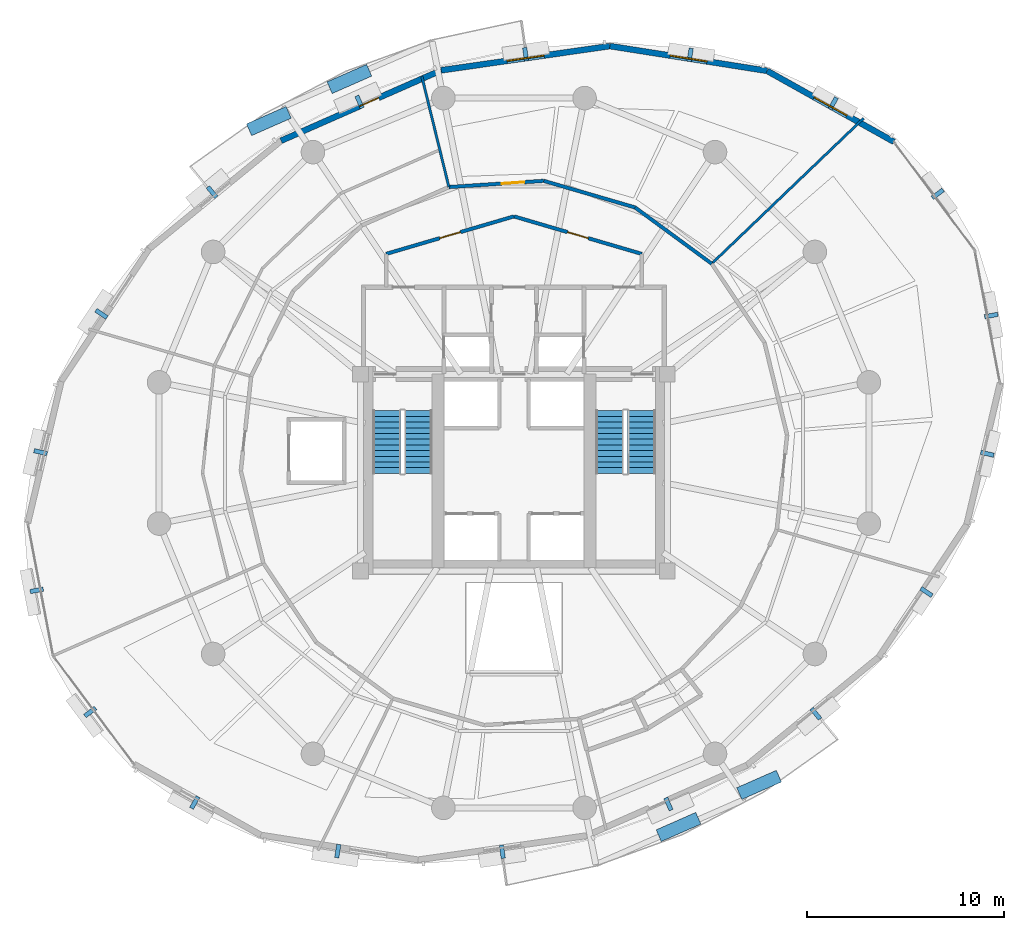
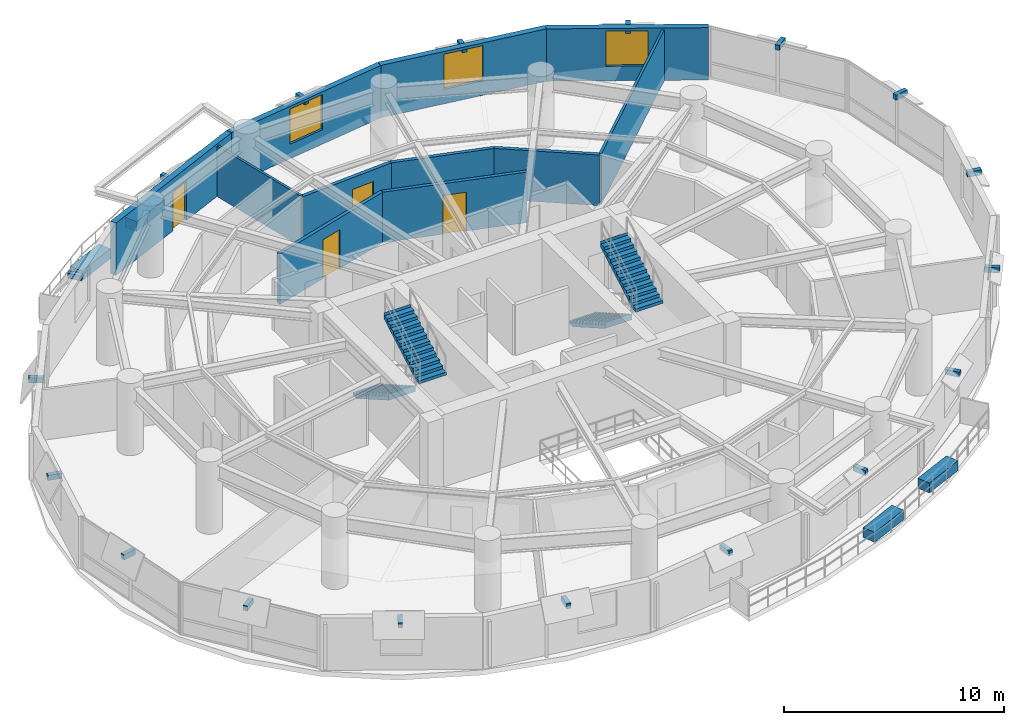
# One storey, part 12 of 14: 22 discrete accessories, 11 walls, 4 doors, 4 stair flights, 3 windows, 7 openings, 2 elements without a shape of their own.
"""IFC4 building model written with IfcOpenShell, lengths in metres."""

from ifc_helpers import new_model, si_unit, direction, frame, frame_2d, origin, origin_2d, place, context, subcontext, project, spatial, polyline, rectangle, outline, extrude, material, layer, layer_set, type_object, element, fill, aggregate, save


model = new_model("IFC4")

# Units and contexts
model_context = context("Model", 3, precision=1e-05, world=origin(), true_north=direction((0.0, 1.0)))
body_context = subcontext(model_context, "Body", "Model", "MODEL_VIEW")
ifc_project = project(units=[si_unit("LENGTHUNIT", "METRE"), si_unit("AREAUNIT", "SQUARE_METRE"), si_unit("VOLUMEUNIT", "CUBIC_METRE"), si_unit("PLANEANGLEUNIT", "RADIAN"), si_unit("MASSUNIT", "GRAM", prefix="KILO"), si_unit("THERMODYNAMICTEMPERATUREUNIT", "KELVIN"), si_unit("POWERUNIT", "WATT")], contexts=[model_context])

# Site, building, storey
site_placement = place(None, origin())
site = spatial("IfcSite", under=ifc_project, at=site_placement, CompositionType="ELEMENT")
building_placement = place(site_placement, origin())
building = spatial("IfcBuilding", under=site, at=building_placement, Name="Ocrelia Relay Tower", CompositionType="ELEMENT")
storey_placement = place(building_placement, frame((0.0, 0.0, 133.800048828125)))
storey = spatial("IfcBuildingStorey", under=building, at=storey_placement, Name="L31", CompositionType="ELEMENT", Elevation=133.800048828125)

# Wall, opening, door
ifc_material_1 = material(Name="Gypsum Fireboard Partition EI60", Category="gypsum")
ifc_layer_1 = layer(ifc_material_1, 0.179931640625, Name="Gypsum Fireboard Partition EI60")
ifc_layer_set_1 = layer_set([ifc_layer_1], Name="Gypsum Fireboard Partition EI60")
wall_type_1 = type_object("IfcWallType", Name="W-CORR-EI60-180", PredefinedType="PARTITIONING", material=ifc_layer_set_1)
wall_1_placement = place(storey_placement, frame((27.5, 36.122802734375, 0.0), z_axis=(0.0, 0.0, 1.0), x_axis=(0.959546654541, 0.281549671923, 0.0)))
wall_1 = element("IfcWall", 1, at=wall_1_placement, inside=storey, type_object=wall_type_1, Name="L31 North Smoke Lobby W Screen Wall", PredefinedType="PARTITIONING", context=body_context, shape_type="SweptSolid", body=[
    extrude(rectangle(XDim=6.77392578125, YDim=0.179931640625, at=frame_2d((3.386962890625, 0.0))), origin(), (0.0, 0.0, 1.0), 2.800048828125),
])
opening_1_placement = place(wall_1_placement, frame((2.8369140625, 0.0, 0.0)))
opening_1 = element("IfcOpeningElement", 2, at=opening_1_placement, cuts=wall_1, Name="Opening D-FD60", PredefinedType="OPENING", context=body_context, shape_type="SweptSolid", body=[
    extrude(rectangle(XDim=1.10009765625, YDim=2.14990234375, at=frame_2d((0.550048828125, 1.074951171875))), frame((0.0, 0.10009765625, 0.0), z_axis=(0.0, -1.0, 0.0), x_axis=(1.0, 0.0, 0.0)), (0.0, 0.0, 1.0), 0.199951171875),
])
ifc_material_2 = material(Name="Timber-core 60-min acoustic fire door", Category="wood")
door_type_1 = type_object("IfcDoorType", Name="DR-LOBBY-FD60-1100", OperationType="NOTDEFINED", PredefinedType="DOOR", material=ifc_material_2)
door_1_placement = place(opening_1_placement, origin())
door_1 = element("IfcDoor", 3, at=door_1_placement, inside=storey, type_object=door_type_1, Name="L31 North Smoke Lobby W Fire Door", OperationType="SINGLE_SWING_LEFT", OverallHeight=2.14990234375, OverallWidth=1.10009765625, PredefinedType="DOOR", context=body_context, shape_type="SweptSolid", body=[
    extrude(rectangle(XDim=1.10009765625, YDim=2.14990234375, at=frame_2d((0.550048828125, 1.074951171875))), frame((0.0, 0.02490234375, 0.0), z_axis=(0.0, -1.0, 0.0), x_axis=(1.0, 0.0, 0.0)), (0.0, 0.0, 1.0), 0.050048828125),
])
fill(opening_1, door_1)

wall_2_placement = place(storey_placement, frame((34.0, 38.030029296875, 0.0), z_axis=(0.0, 0.0, 1.0), x_axis=(0.959546654541, -0.281549671923, 0.0)))
wall_2 = element("IfcWall", 4, at=wall_2_placement, inside=storey, type_object=wall_type_1, Name="L31 North Smoke Lobby E Screen Wall", PredefinedType="PARTITIONING", context=body_context, shape_type="SweptSolid", body=[
    extrude(rectangle(XDim=6.77392578125, YDim=0.179931640625, at=frame_2d((3.386962890625, 0.0))), origin(), (0.0, 0.0, 1.0), 2.800048828125),
])
opening_2_placement = place(wall_2_placement, frame((2.8369140625, 0.0, 0.0)))
opening_2 = element("IfcOpeningElement", 5, at=opening_2_placement, cuts=wall_2, Name="Opening D-FD60", PredefinedType="OPENING", context=body_context, shape_type="SweptSolid", body=[
    extrude(rectangle(XDim=1.10009765625, YDim=2.14990234375, at=frame_2d((0.550048828125, 1.074951171875))), frame((0.0, 0.10009765625, 0.0), z_axis=(0.0, -1.0, 0.0), x_axis=(1.0, 0.0, 0.0)), (0.0, 0.0, 1.0), 0.199951171875),
])
door_2_placement = place(opening_2_placement, origin())
door_2 = element("IfcDoor", 6, at=door_2_placement, inside=storey, type_object=door_type_1, Name="L31 North Smoke Lobby E Fire Door", OperationType="SINGLE_SWING_RIGHT", OverallHeight=2.14990234375, OverallWidth=1.10009765625, PredefinedType="DOOR", context=body_context, shape_type="SweptSolid", body=[
    extrude(rectangle(XDim=1.10009765625, YDim=2.14990234375, at=frame_2d((0.550048828125, 1.074951171875))), frame((0.0, 0.02490234375, 0.0), z_axis=(0.0, -1.0, 0.0), x_axis=(1.0, 0.0, 0.0)), (0.0, 0.0, 1.0), 0.050048828125),
])
fill(opening_2, door_2)

# Walls
for number, where, z_axis, x_axis, name in (
    (7, (44.055419921875, 35.6259765625, 0.0), (0.0, 0.0, 1.0), (-0.806443526367, 0.591311118431, 0.0), "L31 Optical Switching Hall B Corridor Partition 1"),
    (8, (40.15673828125, 38.484619140625, 0.0), (0.0, 0.0, 1.0), (-0.9600525837, 0.279819650007, 0.0), "L31 Optical Switching Hall B Corridor Partition 2"),
):
    element("IfcWall", number, at=place(storey_placement, frame(where, z_axis=z_axis, x_axis=x_axis)), inside=storey, type_object=wall_type_1, Name=name, PredefinedType="PARTITIONING", context=body_context, shape_type="SweptSolid", body=[
        extrude(rectangle(XDim=4.83447265625, YDim=0.179931640625, at=frame_2d((2.417236328125, 0.0))), origin(), (0.0, 0.0, 1.0), 2.800048828125),
    ])

# Wall, opening, door
wall_3_placement = place(storey_placement, frame((35.515380859375, 39.83740234375, 0.0), z_axis=(0.0, 0.0, 1.0), x_axis=(-0.997855867804, -0.065449729474, 0.0)))
wall_3 = element("IfcWall", 9, at=wall_3_placement, inside=storey, type_object=wall_type_1, Name="L31 Optical Switching Hall B Corridor Partition 3", PredefinedType="PARTITIONING", context=body_context, shape_type="SweptSolid", body=[
    extrude(rectangle(XDim=4.834228515625, YDim=0.179931640625, at=frame_2d((2.4169921875, 0.0))), origin(), (0.0, 0.0, 1.0), 2.800048828125),
])
opening_3_placement = place(wall_3_placement, frame((0.99609375, 0.0, 0.0)))
opening_3 = element("IfcOpeningElement", 10, at=opening_3_placement, cuts=wall_3, Name="Opening D-RM115", PredefinedType="OPENING", context=body_context, shape_type="SweptSolid", body=[
    extrude(rectangle(XDim=1.14990234375, YDim=2.14990234375, at=frame_2d((0.574951171875, 1.074951171875))), frame((0.0, 0.10009765625, 0.0), z_axis=(0.0, -1.0, 0.0), x_axis=(1.0, 0.0, 0.0)), (0.0, 0.0, 1.0), 0.199951171875),
])
ifc_material_3 = material(Name="Wide acoustic oak veneer fire door", Category="wood")
door_type_2 = type_object("IfcDoorType", Name="DR-ROOM-1150", OperationType="NOTDEFINED", PredefinedType="DOOR", material=ifc_material_3)
door_3_placement = place(opening_3_placement, origin())
door_3 = element("IfcDoor", 11, at=door_3_placement, inside=storey, type_object=door_type_2, Name="L31 Optical Switching Hall B Entrance Door", OperationType="SINGLE_SWING_LEFT", OverallHeight=2.14990234375, OverallWidth=1.14990234375, PredefinedType="DOOR", context=body_context, shape_type="SweptSolid", body=[
    extrude(rectangle(XDim=1.14990234375, YDim=2.14990234375, at=frame_2d((0.574951171875, 1.074951171875))), frame((0.0, 0.02490234375, 0.0), z_axis=(0.0, -1.0, 0.0), x_axis=(1.0, 0.0, 0.0)), (0.0, 0.0, 1.0), 0.050048828125),
])
fill(opening_3, door_3)

# Wall, opening, window
ifc_material_4 = material(Name="Precast concrete C40/50 with oxide terracotta", Category="masonry")
ifc_layer_2 = layer(ifc_material_4, 0.300048828125, Name="Precast concrete C40/50 with oxide terracotta")
ifc_layer_set_2 = layer_set([ifc_layer_2], Name="Precast concrete C40/50 with oxide terracotta")
wall_type_2 = type_object("IfcWallType", Name="W-EXT-TERR-300", PredefinedType="SOLIDWALL", material=ifc_layer_set_2)
wall_4_placement = place(storey_placement, frame((53.319091796875, 41.824462890625, 0.0), z_axis=(0.0, 0.0, 1.0), x_axis=(-0.872674562052, 0.488302271904, 0.0)))
wall_4 = element("IfcWall", 12, at=wall_4_placement, inside=storey, type_object=wall_type_2, Name="L31 Oxide Terracotta Facade Wall 02", PredefinedType="SOLIDWALL", context=body_context, shape_type="SweptSolid", body=[
    extrude(rectangle(XDim=7.38330078125, YDim=0.300048828125, at=frame_2d((3.691650390625, 0.0))), origin(), (0.0, 0.0, 1.0), 2.89990234375),
])
opening_4_placement = place(wall_4_placement, frame((2.741943359375, 0.0, 0.800048828125)))
opening_4 = element("IfcOpeningElement", 13, at=opening_4_placement, cuts=wall_4, Name="Opening W-06", PredefinedType="OPENING", context=body_context, shape_type="SweptSolid", body=[
    extrude(rectangle(XDim=1.89990234375, YDim=1.949951171875, at=frame_2d((0.949951171875, 0.97509765625))), frame((0.0, 0.16015625, 0.0), z_axis=(0.0, -1.0, 0.0), x_axis=(1.0, 0.0, 0.0)), (0.0, 0.0, 1.0), 0.320068359375),
])
ifc_material_5 = material(Name="Clear double-glazed low-E glass", Category="glass")
window_type = type_object("IfcWindowType", Name="WIN-Z2-1900x2100", PartitioningType="DOUBLE_PANEL_VERTICAL", PredefinedType="WINDOW", material=ifc_material_5)
window_1_placement = place(opening_4_placement, origin())
window_1 = element("IfcWindow", 14, at=window_1_placement, inside=storey, type_object=window_type, Name="L31 Facade Module Window 02", OverallHeight=1.949951171875, OverallWidth=1.89990234375, PartitioningType="SINGLE_PANEL", PredefinedType="WINDOW", context=body_context, shape_type="SweptSolid", body=[
    extrude(rectangle(XDim=1.89990234375, YDim=1.949951171875, at=frame_2d((0.949951171875, 0.97509765625))), frame((0.0, 0.030029296875, 0.0), z_axis=(0.0, -1.0, 0.0), x_axis=(1.0, 0.0, 0.0)), (0.0, 0.0, 1.0), 0.06005859375),
])
fill(opening_4, window_1)

wall_5_placement = place(storey_placement, frame((46.8759765625, 45.4296875, 0.0), z_axis=(0.0, 0.0, 1.0), x_axis=(-0.987774699815, 0.155888236905, 0.0)))
wall_5 = element("IfcWall", 15, at=wall_5_placement, inside=storey, type_object=wall_type_2, Name="L31 Oxide Terracotta Facade Wall 03", PredefinedType="SOLIDWALL", context=body_context, shape_type="SweptSolid", body=[
    extrude(rectangle(XDim=8.09521484375, YDim=0.300048828125, at=frame_2d((4.047607421875, 0.0))), origin(), (0.0, 0.0, 1.0), 2.89990234375),
])
opening_5_placement = place(wall_5_placement, frame((3.097900390625, 0.0, 0.800048828125)))
opening_5 = element("IfcOpeningElement", 16, at=opening_5_placement, cuts=wall_5, Name="Opening W-06", PredefinedType="OPENING", context=body_context, shape_type="SweptSolid", body=[
    extrude(rectangle(XDim=1.89990234375, YDim=1.949951171875, at=frame_2d((0.949951171875, 0.97509765625))), frame((0.0, 0.16015625, 0.0), z_axis=(0.0, -1.0, 0.0), x_axis=(1.0, 0.0, 0.0)), (0.0, 0.0, 1.0), 0.320068359375),
])
window_2_placement = place(opening_5_placement, origin())
window_2 = element("IfcWindow", 17, at=window_2_placement, inside=storey, type_object=window_type, Name="L31 Facade Module Window 03", OverallHeight=1.949951171875, OverallWidth=1.89990234375, PartitioningType="SINGLE_PANEL", PredefinedType="WINDOW", context=body_context, shape_type="SweptSolid", body=[
    extrude(rectangle(XDim=1.89990234375, YDim=1.949951171875, at=frame_2d((0.949951171875, 0.97509765625))), frame((0.0, 0.030029296875, 0.0), z_axis=(0.0, -1.0, 0.0), x_axis=(1.0, 0.0, 0.0)), (0.0, 0.0, 1.0), 0.06005859375),
])
fill(opening_5, window_2)

wall_6_placement = place(storey_placement, frame((38.879638671875, 46.691650390625, 0.0), z_axis=(0.0, 0.0, 1.0), x_axis=(-0.989832051035, -0.142241030455, 0.0)))
wall_6 = element("IfcWall", 18, at=wall_6_placement, inside=storey, type_object=wall_type_2, Name="L31 Oxide Terracotta Facade Wall 04", PredefinedType="SOLIDWALL", context=body_context, shape_type="SweptSolid", body=[
    extrude(rectangle(XDim=8.6728515625, YDim=0.300048828125, at=frame_2d((4.33642578125, 0.0))), origin(), (0.0, 0.0, 1.0), 2.89990234375),
])
opening_6_placement = place(wall_6_placement, frame((3.385986328125, 0.0, 0.800048828125)))
opening_6 = element("IfcOpeningElement", 19, at=opening_6_placement, cuts=wall_6, Name="Opening W-06", PredefinedType="OPENING", context=body_context, shape_type="SweptSolid", body=[
    extrude(rectangle(XDim=1.89990234375, YDim=1.949951171875, at=frame_2d((0.949951171875, 0.97509765625))), frame((0.0, 0.16015625, 0.0), z_axis=(0.0, -1.0, 0.0), x_axis=(1.0, 0.0, 0.0)), (0.0, 0.0, 1.0), 0.320068359375),
])
window_3_placement = place(opening_6_placement, origin())
window_3 = element("IfcWindow", 20, at=window_3_placement, inside=storey, type_object=window_type, Name="L31 Facade Module Window 04", OverallHeight=1.949951171875, OverallWidth=1.89990234375, PartitioningType="SINGLE_PANEL", PredefinedType="WINDOW", context=body_context, shape_type="SweptSolid", body=[
    extrude(rectangle(XDim=1.89990234375, YDim=1.949951171875, at=frame_2d((0.949951171875, 0.97509765625))), frame((0.0, 0.030029296875, 0.0), z_axis=(0.0, -1.0, 0.0), x_axis=(1.0, 0.0, 0.0)), (0.0, 0.0, 1.0), 0.06005859375),
])
fill(opening_6, window_3)

# Wall, opening, door
wall_7_placement = place(storey_placement, frame((30.294921875, 45.4580078125, 0.0), z_axis=(0.0, 0.0, 1.0), x_axis=(-0.915305719245, -0.402759779916, 0.0)))
wall_7 = element("IfcWall", 21, at=wall_7_placement, inside=storey, type_object=wall_type_2, Name="L31 Oxide Terracotta Facade Wall 05", PredefinedType="SOLIDWALL", context=body_context, shape_type="SweptSolid", body=[
    extrude(rectangle(XDim=8.890625, YDim=0.300048828125, at=frame_2d((4.4453125, 0.0))), origin(), (0.0, 0.0, 1.0), 2.89990234375),
])
opening_7_placement = place(wall_7_placement, frame((3.469970703125, 0.0, 0.0)))
opening_7 = element("IfcOpeningElement", 22, at=opening_7_placement, cuts=wall_7, Name="Opening DB-105", PredefinedType="OPENING", context=body_context, shape_type="SweptSolid", body=[
    extrude(rectangle(XDim=1.050048828125, YDim=2.14990234375, at=frame_2d((0.52490234375, 1.074951171875))), frame((0.0, 0.16015625, 0.0), z_axis=(0.0, -1.0, 0.0), x_axis=(1.0, 0.0, 0.0)), (0.0, 0.0, 1.0), 0.320068359375),
])
ifc_material_6 = material(Name="Thermally broken aluminium and clear glass", Category="aluminium")
door_type_3 = type_object("IfcDoorType", Name="DR-BALC-1050", OperationType="NOTDEFINED", PredefinedType="DOOR", material=ifc_material_6)
door_4_placement = place(opening_7_placement, origin())
door_4 = element("IfcDoor", 23, at=door_4_placement, inside=storey, type_object=door_type_3, Name="L31 Planted Loggia Balcony Door B1", OperationType="SINGLE_SWING_LEFT", OverallHeight=2.14990234375, OverallWidth=1.050048828125, PredefinedType="DOOR", context=body_context, shape_type="SweptSolid", body=[
    extrude(rectangle(XDim=1.050048828125, YDim=2.14990234375, at=frame_2d((0.52490234375, 1.074951171875))), frame((0.0, 0.02490234375, 0.0), z_axis=(0.0, -1.0, 0.0), x_axis=(1.0, 0.0, 0.0)), (0.0, 0.0, 1.0), 0.050048828125),
])
fill(opening_7, door_4)

# Walls
ifc_material_7 = material(Name="Acoustic Fireboard Partition EI60", Category="gypsum")
ifc_layer_3 = layer(ifc_material_7, 0.125, Name="Acoustic Fireboard Partition EI60")
ifc_layer_set_3 = layer_set([ifc_layer_3], Name="Acoustic Fireboard Partition EI60")
wall_type_3 = type_object("IfcWallType", Name="W-PART-125", PredefinedType="PARTITIONING", material=ifc_layer_set_3)
wall_8_placement = place(storey_placement, frame((44.055419921875, 35.6259765625, 0.0), z_axis=(0.0, 0.0, 1.0), x_axis=(0.722362895437, 0.691514169989, 0.0)))
element("IfcWall", 24, at=wall_8_placement, inside=storey, type_object=wall_type_3, Name="L31 Optical Switching Hall A Radial Partition", PredefinedType="PARTITIONING", context=body_context, shape_type="SweptSolid", body=[
    extrude(rectangle(XDim=10.68408203125, YDim=0.125, at=frame_2d((5.342041015625, 0.0))), origin(), (0.0, 0.0, 1.0), 2.800048828125),
])
wall_9_placement = place(storey_placement, frame((30.69140625, 39.52099609375, 0.0), z_axis=(0.0, 0.0, 1.0), x_axis=(-0.23768243705, 0.971342915307, 0.0)))
element("IfcWall", 25, at=wall_9_placement, inside=storey, type_object=wall_type_3, Name="L31 Optical Switching Hall B Radial Partition", PredefinedType="PARTITIONING", context=body_context, shape_type="SweptSolid", body=[
    extrude(rectangle(XDim=5.803466796875, YDim=0.125, at=frame_2d((2.90185546875, 0.0))), origin(), (0.0, 0.0, 1.0), 2.800048828125),
])

# Stair, stair flights
ifc_material_8 = material(Name="Concrete C50/60", Category="concrete")
stair_type = type_object("IfcStairType", Name="ST-DL-1420-R167", PredefinedType="HALF_TURN_STAIR", material=ifc_material_8)
stair_1_placement = place(storey_placement, origin())
stair_1 = element("IfcStair", 26, at=stair_1_placement, inside=storey, type_object=stair_type, Name="L31 West Core Exit Stair ST1", PredefinedType="HALF_TURN_STAIR")
stair_flight_type = type_object("IfcStairFlightType", Name="STF-DL-1420-R167", PredefinedType="STRAIGHT", material=ifc_material_8)
stair_flight_1_placement = place(storey_placement, frame((27.52001953125, 28.14990234375, 0.0), z_axis=(0.0, 0.0, 1.0), x_axis=(0.0, -1.0, 0.0)))
stair_flight_1 = element("IfcStairFlight", 27, at=stair_flight_1_placement, type_object=stair_flight_type, Name="ST1 flight 1", NumberOfRisers=12, NumberOfTreads=11, PredefinedType="STRAIGHT", RiserHeight=0.166666667, TreadLength=0.29, context=body_context, shape_type="SweptSolid", body=[
    extrude(outline(polyline([(-0.008056640625, 0.0), (-0.008056640625, 0.166748046875), (0.0, 0.166748046875), (0.2900390625, 0.166748046875), (0.2900390625, 0.333251953125), (0.580078125, 0.333251953125), (0.580078125, 0.5), (0.8701171875, 0.5), (0.8701171875, 0.666748046875), (1.159912109375, 0.666748046875), (1.159912109375, 0.833251953125), (1.449951171875, 0.833251953125), (1.449951171875, 1.0), (1.739990234375, 1.0), (1.739990234375, 1.166748046875), (2.030029296875, 1.166748046875), (2.030029296875, 1.333251953125), (2.320068359375, 1.333251953125), (2.320068359375, 1.5), (2.610107421875, 1.5), (2.610107421875, 1.666748046875), (2.89990234375, 1.666748046875), (2.89990234375, 1.833251953125), (3.18994140625, 1.833251953125), (3.18994140625, 2.0), (3.197998046875, 2.0), (3.197998046875, 1.660400390625), (0.30078125, 0.0), (-0.008056640625, 0.0)])), frame((0.0, 0.7099609375, 0.0), z_axis=(0.0, -1.0, 0.0), x_axis=(1.0, 0.0, 0.0)), (0.0, 0.0, 1.0), 1.419921875),
])
stair_flight_2_placement = place(storey_placement, frame((29.139892578125, 24.9599609375, 2.0), z_axis=(0.0, 0.0, 1.0), x_axis=(0.0, 1.0, 0.0)))
stair_flight_2 = element("IfcStairFlight", 28, at=stair_flight_2_placement, type_object=stair_flight_type, Name="ST1 flight 2", NumberOfRisers=12, NumberOfTreads=11, PredefinedType="STRAIGHT", RiserHeight=0.166666667, TreadLength=0.29, context=body_context, shape_type="SweptSolid", body=[
    extrude(outline(polyline([(-0.008056640625, 0.0), (-0.008056640625, 0.166748046875), (0.0, 0.166748046875), (0.2900390625, 0.166748046875), (0.2900390625, 0.333251953125), (0.580078125, 0.333251953125), (0.580078125, 0.5), (0.8701171875, 0.5), (0.8701171875, 0.666748046875), (1.159912109375, 0.666748046875), (1.159912109375, 0.833251953125), (1.449951171875, 0.833251953125), (1.449951171875, 1.0), (1.739990234375, 1.0), (1.739990234375, 1.166748046875), (2.030029296875, 1.166748046875), (2.030029296875, 1.333251953125), (2.320068359375, 1.333251953125), (2.320068359375, 1.5), (2.610107421875, 1.5), (2.610107421875, 1.666748046875), (2.89990234375, 1.666748046875), (2.89990234375, 1.833251953125), (3.18994140625, 1.833251953125), (3.18994140625, 2.0), (3.197998046875, 2.0), (3.197998046875, 1.660400390625), (0.30078125, 0.0), (-0.008056640625, 0.0)])), frame((0.0, 0.7099609375, 0.0), z_axis=(0.0, -1.0, 0.0), x_axis=(1.0, 0.0, 0.0)), (0.0, 0.0, 1.0), 1.419921875),
])
aggregate(stair_1, [stair_flight_1, stair_flight_2])

stair_2_placement = place(storey_placement, origin())
stair_2 = element("IfcStair", 29, at=stair_2_placement, inside=storey, type_object=stair_type, Name="L31 East Core Exit Stair ST2", PredefinedType="HALF_TURN_STAIR")
stair_flight_3_placement = place(storey_placement, frame((38.8701171875, 28.14990234375, 0.0), z_axis=(0.0, 0.0, 1.0), x_axis=(0.0, -1.0, 0.0)))
stair_flight_3 = element("IfcStairFlight", 30, at=stair_flight_3_placement, type_object=stair_flight_type, Name="ST2 flight 1", NumberOfRisers=12, NumberOfTreads=11, PredefinedType="STRAIGHT", RiserHeight=0.166666667, TreadLength=0.29, context=body_context, shape_type="SweptSolid", body=[
    extrude(outline(polyline([(-0.008056640625, 0.0), (-0.008056640625, 0.166748046875), (0.0, 0.166748046875), (0.2900390625, 0.166748046875), (0.2900390625, 0.333251953125), (0.580078125, 0.333251953125), (0.580078125, 0.5), (0.8701171875, 0.5), (0.8701171875, 0.666748046875), (1.159912109375, 0.666748046875), (1.159912109375, 0.833251953125), (1.449951171875, 0.833251953125), (1.449951171875, 1.0), (1.739990234375, 1.0), (1.739990234375, 1.166748046875), (2.030029296875, 1.166748046875), (2.030029296875, 1.333251953125), (2.320068359375, 1.333251953125), (2.320068359375, 1.5), (2.610107421875, 1.5), (2.610107421875, 1.666748046875), (2.89990234375, 1.666748046875), (2.89990234375, 1.833251953125), (3.18994140625, 1.833251953125), (3.18994140625, 2.0), (3.197998046875, 2.0), (3.197998046875, 1.660400390625), (0.30078125, 0.0), (-0.008056640625, 0.0)])), frame((0.0, 0.7099609375, 0.0), z_axis=(0.0, -1.0, 0.0), x_axis=(1.0, 0.0, 0.0)), (0.0, 0.0, 1.0), 1.419921875),
])
stair_flight_4_placement = place(storey_placement, frame((40.489990234375, 24.9599609375, 2.0), z_axis=(0.0, 0.0, 1.0), x_axis=(0.0, 1.0, 0.0)))
stair_flight_4 = element("IfcStairFlight", 31, at=stair_flight_4_placement, type_object=stair_flight_type, Name="ST2 flight 2", NumberOfRisers=12, NumberOfTreads=11, PredefinedType="STRAIGHT", RiserHeight=0.166666667, TreadLength=0.29, context=body_context, shape_type="SweptSolid", body=[
    extrude(outline(polyline([(-0.008056640625, 0.0), (-0.008056640625, 0.166748046875), (0.0, 0.166748046875), (0.2900390625, 0.166748046875), (0.2900390625, 0.333251953125), (0.580078125, 0.333251953125), (0.580078125, 0.5), (0.8701171875, 0.5), (0.8701171875, 0.666748046875), (1.159912109375, 0.666748046875), (1.159912109375, 0.833251953125), (1.449951171875, 0.833251953125), (1.449951171875, 1.0), (1.739990234375, 1.0), (1.739990234375, 1.166748046875), (2.030029296875, 1.166748046875), (2.030029296875, 1.333251953125), (2.320068359375, 1.333251953125), (2.320068359375, 1.5), (2.610107421875, 1.5), (2.610107421875, 1.666748046875), (2.89990234375, 1.666748046875), (2.89990234375, 1.833251953125), (3.18994140625, 1.833251953125), (3.18994140625, 2.0), (3.197998046875, 2.0), (3.197998046875, 1.660400390625), (0.30078125, 0.0), (-0.008056640625, 0.0)])), frame((0.0, 0.7099609375, 0.0), z_axis=(0.0, -1.0, 0.0), x_axis=(1.0, 0.0, 0.0)), (0.0, 0.0, 1.0), 1.419921875),
])
aggregate(stair_2, [stair_flight_3, stair_flight_4])

# Discrete accessories
ifc_material_9 = material(Name="Precast concrete C40/50 planter with highland greenery", Category="concrete")
discrete_accessory_type_1 = type_object("IfcDiscreteAccessoryType", Name="ACC-BALC-PLANTER", PredefinedType="USERDEFINED", material=ifc_material_9)
for number, where, z_axis, x_axis, name in (
    (32, (25.632080078125, 45.017822265625, 0.0), (0.0, 0.0, 1.0), (0.915312507293, 0.402744353149, 0.0), "L31 Balcony Terracotta Planter with Greenery B1"),
    (33, (21.53564453125, 42.877197265625, 0.0), (0.0, 0.0, 1.0), (0.915312507293, 0.402744353149, 0.0), "L31 Balcony Terracotta Planter B1-2"),
    (34, (42.367919921875, 6.982177734375, 0.0), (0.0, 0.0, 1.0), (-0.915312507293, -0.402744353149, 0.0), "L31 Balcony Terracotta Planter with Greenery B2"),
    (35, (46.46435546875, 9.122802734375, 0.0), (0.0, 0.0, 1.0), (-0.915312507293, -0.402744353149, 0.0), "L31 Balcony Terracotta Planter B2-2"),
):
    element("IfcDiscreteAccessory", number, at=place(storey_placement, frame(where, z_axis=z_axis, x_axis=x_axis)), inside=storey, type_object=discrete_accessory_type_1, Name=name, ObjectType="PLANTER", PredefinedType="USERDEFINED", context=body_context, shape_type="SweptSolid", body=[
        extrude(rectangle(XDim=2.199951171875, YDim=0.64990234375, at=origin_2d()), origin(), (0.0, 0.0, 1.0), 0.550048828125),
    ])
ifc_material_10 = material(Name="Steel S355", Category="steel")
discrete_accessory_type_2 = type_object("IfcDiscreteAccessoryType", Name="ACC-VISOR-BRACKET", PredefinedType="BRACKET", material=ifc_material_10)
for number, where, z_axis, x_axis, name in (
    (36, (55.546142578125, 39.171630859375, 2.60009765625), (0.0, 0.0, 1.0), (-0.597897658661, 0.801572448234, 0.0), "L31 Visor Mounting Bracket 01"),
    (37, (50.232421875, 43.77490234375, 2.60009765625), (0.0, 0.0, 1.0), (-0.872663947085, 0.488321242071, 0.0), "L31 Visor Mounting Bracket 02"),
    (38, (42.958740234375, 46.24365234375, 2.60009765625), (0.0, 0.0, 1.0), (-0.987775482141, 0.155883279675, 0.0), "L31 Visor Mounting Bracket 03"),
    (39, (34.59326171875, 46.274658203125, 2.60009765625), (0.0, 0.0, 1.0), (-0.989829456122, -0.142259086855, 0.0), "L31 Visor Mounting Bracket 04"),
    (40, (26.1455078125, 43.8505859375, 2.60009765625), (0.0, 0.0, 1.0), (-0.915312212944, -0.402745022111, 0.0), "L31 Visor Mounting Bracket 05"),
    (41, (18.651123046875, 39.260009765625, 2.60009765625), (0.0, 0.0, 1.0), (-0.773601684321, -0.633672181822, 0.0), "L31 Visor Mounting Bracket 06"),
    (42, (13.0224609375, 33.0712890625, 2.60009765625), (0.0, 0.0, 1.0), (-0.552406115768, -0.833575121547, 0.0), "L31 Visor Mounting Bracket 07"),
    (43, (9.9287109375, 26.040771484375, 2.60009765625), (0.0, 0.0, 1.0), (-0.229533778971, -0.973300695731, 0.0), "L31 Visor Mounting Bracket 08"),
    (44, (9.732421875, 19.01318359375, 2.60009765625), (0.0, 0.0, 1.0), (0.187044640292, -0.982351414993, 0.0), "L31 Visor Mounting Bracket 09"),
    (45, (12.453857421875, 12.828369140625, 2.60009765625), (0.0, 0.0, 1.0), (0.597897658661, -0.801572448234, 0.0), "L31 Visor Mounting Bracket 10"),
    (46, (17.767578125, 8.22509765625, 2.60009765625), (0.0, 0.0, 1.0), (0.872663947085, -0.488321242071, 0.0), "L31 Visor Mounting Bracket 11"),
    (47, (25.041259765625, 5.75634765625, 2.60009765625), (0.0, 0.0, 1.0), (0.987775482141, -0.155883279675, 0.0), "L31 Visor Mounting Bracket 12"),
    (48, (33.40673828125, 5.725341796875, 2.60009765625), (0.0, 0.0, 1.0), (0.989829456122, 0.142259086855, 0.0), "L31 Visor Mounting Bracket 13"),
    (49, (41.8544921875, 8.1494140625, 2.60009765625), (0.0, 0.0, 1.0), (0.915312212944, 0.402745022111, 0.0), "L31 Visor Mounting Bracket 14"),
    (50, (49.348876953125, 12.739990234375, 2.60009765625), (0.0, 0.0, 1.0), (0.773601684321, 0.633672181822, 0.0), "L31 Visor Mounting Bracket 15"),
    (51, (54.9775390625, 18.9287109375, 2.60009765625), (0.0, 0.0, 1.0), (0.552406115768, 0.833575121547, 0.0), "L31 Visor Mounting Bracket 16"),
    (52, (58.0712890625, 25.959228515625, 2.60009765625), (0.0, 0.0, 1.0), (0.229533778971, 0.973300695731, 0.0), "L31 Visor Mounting Bracket 17"),
    (53, (58.267578125, 32.98681640625, 2.60009765625), (0.0, 0.0, 1.0), (-0.187044640292, 0.982351414993, 0.0), "L31 Visor Mounting Bracket 18"),
):
    element("IfcDiscreteAccessory", number, at=place(storey_placement, frame(where, z_axis=z_axis, x_axis=x_axis)), inside=storey, type_object=discrete_accessory_type_2, Name=name, PredefinedType="BRACKET", context=body_context, shape_type="SweptSolid", body=[
        extrude(rectangle(XDim=0.219970703125, YDim=0.679931640625, at=origin_2d()), origin(), (0.0, 0.0, 1.0), 0.280029296875),
    ])

save(model, "model.ifc")
